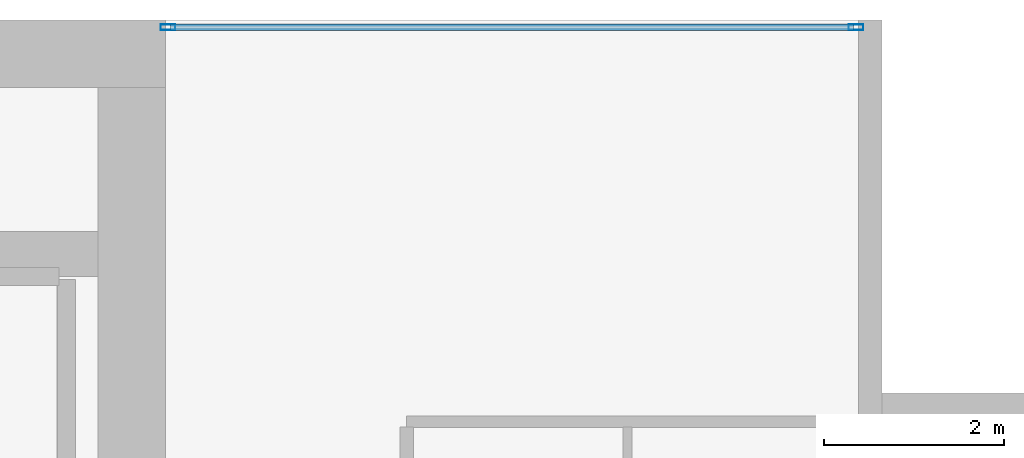
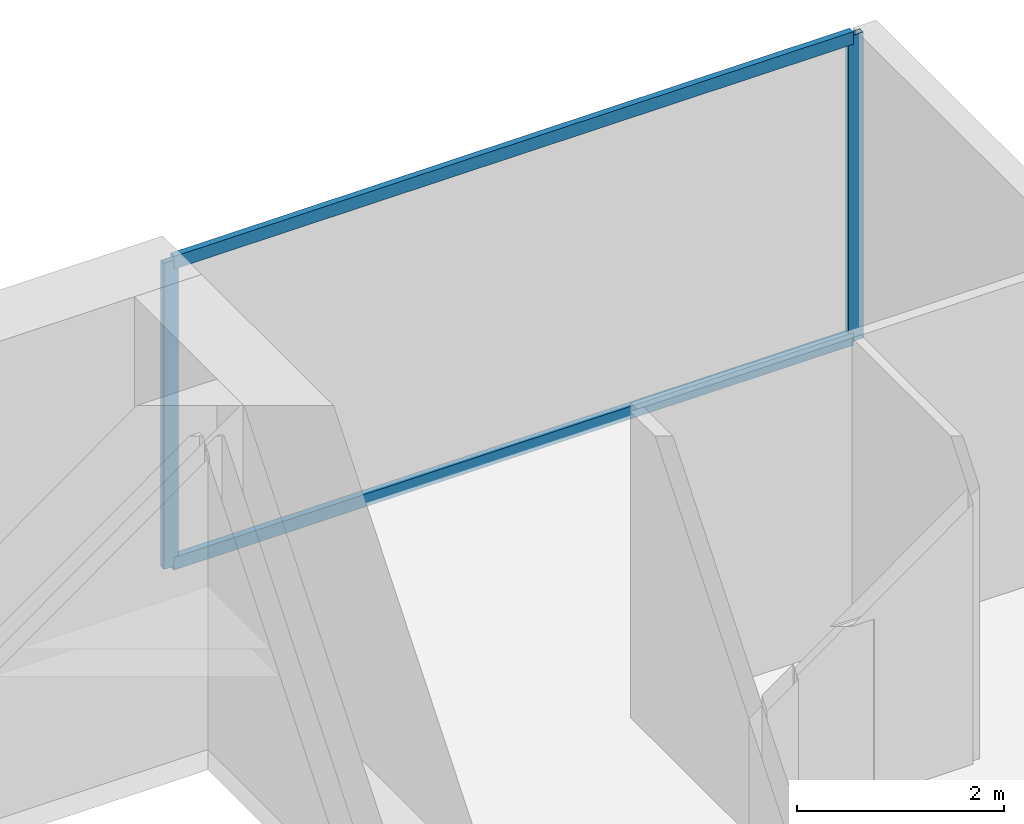
# One storey, part 25 of 33: 4 members, 1 element without a shape of its own.
"""IFC4 building model written with IfcOpenShell, lengths in metres."""

from ifc_helpers import new_model, si_unit, direction, frame, origin, origin_2d, place, context, subcontext, project, spatial, hollow_rectangle, extrude, material, layer, layer_set, material_profile, profile_set, type_object, element, aggregate, save


model = new_model("IFC4")

# Units and contexts
model_context = context("Model", 3, precision=1e-05, world=origin(), true_north=direction((0.0, 1.0)))
body_context = subcontext(model_context, "Body", "Model", "MODEL_VIEW")
ifc_project = project(units=[si_unit("LENGTHUNIT", "METRE"), si_unit("AREAUNIT", "SQUARE_METRE"), si_unit("VOLUMEUNIT", "CUBIC_METRE"), si_unit("PLANEANGLEUNIT", "RADIAN"), si_unit("MASSUNIT", "GRAM", prefix="KILO")], contexts=[model_context])

# Site, building, storey
site_placement = place(None, origin())
site = spatial("IfcSite", under=ifc_project, at=site_placement, CompositionType="ELEMENT")
building_placement = place(site_placement, origin())
building = spatial("IfcBuilding", under=site, at=building_placement, Name="Maruvema Waterfront Hotel and Observation Tower", CompositionType="ELEMENT")
storey_placement = place(building_placement, frame((0.0, 0.0, 204.39990234375)))
storey = spatial("IfcBuildingStorey", under=building, at=storey_placement, Name="L50", CompositionType="ELEMENT", Elevation=204.39990234375)

# Curtain wall, members
ifc_material_1 = material(Name="Anodised bronze aluminium and solar-control low-E IGU", Category="aluminium")
ifc_layer = layer(ifc_material_1, 0.159912109375, Name="Zone 2 Amber Inner Thermal Curtain Wall System CW-03")
ifc_layer_set = layer_set([ifc_layer], Name="Anodised bronze aluminium and solar-control low-E IGU")
curtain_wall_type = type_object("IfcCurtainWallType", Name="Zone 2 Amber Inner Thermal Curtain Wall System CW-03", PredefinedType="USERDEFINED", material=ifc_layer_set)
curtain_wall_placement = place(storey_placement, origin())
curtain_wall = element("IfcCurtainWall", 1, at=curtain_wall_placement, inside=storey, type_object=curtain_wall_type, Name="L50 Curtain Wall CW-L50-NE", ObjectType="UNITISED CURTAIN WALL", PredefinedType="USERDEFINED")
ifc_material_2 = material(Name="Anodised architectural bronze aluminium", Category="aluminium")
ifc_material_profile_1 = material_profile(ifc_material_2, hollow_rectangle(XDim=0.070068359375, YDim=0.14990234375, WallThickness=0.00390625, at=origin_2d()), Name="ALU-T70x150")
ifc_profile_set_1 = profile_set([ifc_material_profile_1], Name="Anodised architectural bronze aluminium")
member_type_1 = type_object("IfcMemberType", Name="Curtain Wall Horizontal Transom ALU-T70x150", PredefinedType="USERDEFINED", material=ifc_profile_set_1)
member_1_placement = place(storey_placement, frame((58.0400390625, 53.919921875, 0.030029296875), z_axis=(-1.0, 0.0, 0.0), x_axis=(0.0, -1.0, 0.0)))
member_1 = element("IfcMember", 2, at=member_1_placement, type_object=member_type_1, Name="CW-03 transom 1.1", ObjectType="TRANSOM", PredefinedType="USERDEFINED", context=body_context, shape_type="SweptSolid", body=[
    extrude(hollow_rectangle(XDim=0.070068359375, YDim=0.14990234375, WallThickness=0.00390625, at=origin_2d()), origin(), (0.0, 0.0, 1.0), 7.580078125),
])
member_2_placement = place(storey_placement, frame((58.0400390625, 53.919921875, 3.580078125), z_axis=(-1.0, 0.0, 0.0), x_axis=(0.0, -1.0, 0.0)))
member_2 = element("IfcMember", 3, at=member_2_placement, type_object=member_type_1, Name="CW-03 transom 1.2", ObjectType="TRANSOM", PredefinedType="USERDEFINED", context=body_context, shape_type="SweptSolid", body=[
    extrude(hollow_rectangle(XDim=0.070068359375, YDim=0.14990234375, WallThickness=0.00390625, at=origin_2d()), origin(), (0.0, 0.0, 1.0), 7.580078125),
])
ifc_material_3 = material(Name="Anodised architectural bronze aluminium", Category="aluminium")
ifc_material_profile_2 = material_profile(ifc_material_3, hollow_rectangle(XDim=0.06494140625, YDim=0.1650390625, WallThickness=0.00390625, at=origin_2d()), Name="ALU-M65x165")
ifc_profile_set_2 = profile_set([ifc_material_profile_2], Name="Anodised architectural bronze aluminium")
member_type_2 = type_object("IfcMemberType", Name="Curtain Wall Primary Mullion ALU-M65x165", PredefinedType="MULLION", material=ifc_profile_set_2)
member_3_placement = place(storey_placement, frame((58.070068359375, 53.919921875, 0.0), z_axis=(0.0, 0.0, 1.0), x_axis=(0.0, -1.0, 0.0)))
member_3 = element("IfcMember", 4, at=member_3_placement, type_object=member_type_2, Name="CW-03 mullion 1", PredefinedType="MULLION", context=body_context, shape_type="SweptSolid", body=[
    extrude(hollow_rectangle(XDim=0.06494140625, YDim=0.1650390625, WallThickness=0.00390625, at=origin_2d()), origin(), (0.0, 0.0, 1.0), 3.610107421875),
])
member_4_placement = place(storey_placement, frame((50.429931640625, 53.919921875, 0.0), z_axis=(0.0, 0.0, 1.0), x_axis=(0.0, -1.0, 0.0)))
member_4 = element("IfcMember", 5, at=member_4_placement, type_object=member_type_2, Name="CW-03 mullion 2", PredefinedType="MULLION", context=body_context, shape_type="SweptSolid", body=[
    extrude(hollow_rectangle(XDim=0.06494140625, YDim=0.1650390625, WallThickness=0.00390625, at=origin_2d()), origin(), (0.0, 0.0, 1.0), 3.610107421875),
])
aggregate(curtain_wall, [member_3, member_4, member_1, member_2])

save(model, "model.ifc")
